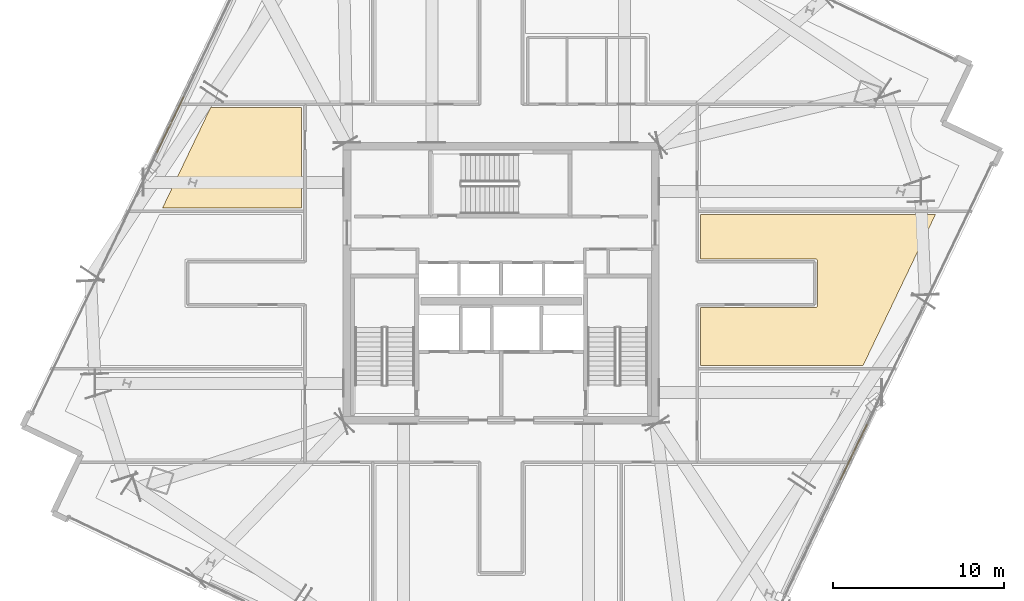
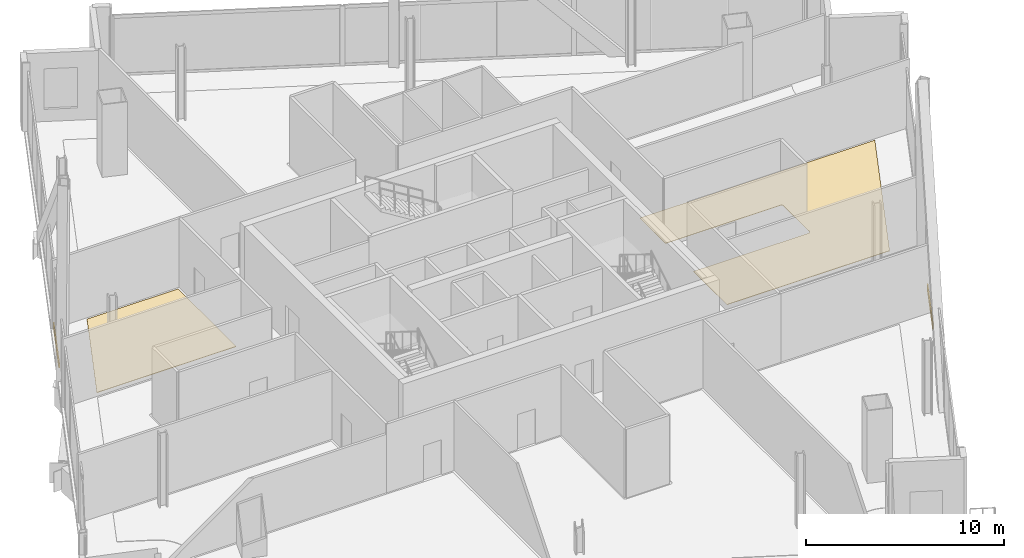
# One storey, part 22 of 24: 4 coverings.
"""IFC4 building model written with IfcOpenShell, lengths in metres."""

import ifcopenshell
import ifcopenshell.guid

model = None  # the IFC model being written
_history = None  # IfcOwnerHistory: only IFC2X3 demands one
_inside = {}  # id of a spatial element -> (the spatial element, [elements in it])
_under = {}  # id of a project, library or spatial element -> (it, [spatial elements below it])
_declared = {}  # id of a project -> (the project, [libraries it declares])
_typed = {}  # id of a type object -> (the type object, [elements of that type])
_made_of = {}  # id of a material, layer set ... -> (it, [elements and type objects made of it])


def new_model(schema):
    """Start an empty IFC model of exactly this schema.

    Asked for "IFC4X3", IfcOpenShell would pick the latest addendum, in which some entities
    have other attributes; the version numbers below select the first issue.
    IFC2X3 requires an IfcOwnerHistory on every rooted entity: one is made here for all.
    """
    global model, _history
    if schema == "IFC4X3":
        model = ifcopenshell.file(schema_version=(4, 3, 0, 0))
    else:
        model = ifcopenshell.file(schema=schema)
    _inside.clear()
    _under.clear()
    _declared.clear()
    _typed.clear()
    _made_of.clear()
    _history = None
    if model.schema == "IFC2X3":
        org = make("IfcOrganization", Name="unknown")
        user = make(
            "IfcPersonAndOrganization",
            ThePerson=make("IfcPerson", FamilyName="unknown"),
            TheOrganization=org,
        )
        app = make(
            "IfcApplication",
            ApplicationDeveloper=org,
            Version="unknown",
            ApplicationFullName="unknown",
            ApplicationIdentifier="unknown",
        )
        _history = make(
            "IfcOwnerHistory",
            OwningUser=user,
            OwningApplication=app,
            ChangeAction="ADDED",
            CreationDate=0,
        )
    return model


def make(cls, **values):
    """One entity of the class cls with the attributes given. An attribute that is None is left unset."""
    return model.create_entity(
        cls, **{name: value for name, value in values.items() if value is not None}
    )


def rooted(cls, **values):
    """An entity with a GlobalId (a new one), such as an element, a storey or a relation."""
    return make(cls, GlobalId=ifcopenshell.guid.new(), OwnerHistory=_history, **values)


def si_unit(unit_type, name, prefix=None):
    """IfcSIUnit, for example si_unit("LENGTHUNIT", "METRE", prefix="MILLI")."""
    return make("IfcSIUnit", UnitType=unit_type, Prefix=prefix, Name=name)


def assignment(units):
    """IfcUnitAssignment: the units of a project."""
    return None if units is None else make("IfcUnitAssignment", Units=units)


def point(xyz):
    """IfcCartesianPoint."""
    return None if xyz is None else make("IfcCartesianPoint", Coordinates=xyz)


def direction(xyz):
    """IfcDirection."""
    return None if xyz is None else make("IfcDirection", DirectionRatios=xyz)


def frame(location, z_axis=None, x_axis=None):
    """IfcAxis2Placement3D, a coordinate frame: its origin and axes. An axis left out is left unset."""
    return make(
        "IfcAxis2Placement3D",
        Location=point(location),
        Axis=direction(z_axis),
        RefDirection=direction(x_axis),
    )


def frame_2d(location, x_axis=None):
    """IfcAxis2Placement2D, a coordinate frame in the plane: its origin and x axis."""
    return make(
        "IfcAxis2Placement2D", Location=point(location), RefDirection=direction(x_axis)
    )


def origin():
    """The frame at (0, 0, 0) with its axes left unset."""
    return frame((0.0, 0.0, 0.0))


def origin_2d():
    """The frame at (0, 0) in the plane with its x axis left unset."""
    return frame_2d((0.0, 0.0))


def place(relative_to, where):
    """IfcLocalPlacement: puts the frame where relative to a parent placement (None: the world)."""
    return make(
        "IfcLocalPlacement", PlacementRelTo=relative_to, RelativePlacement=where
    )


def context(
    kind, dimensions, precision=None, world=None, true_north=None, identifier=None
):
    """IfcGeometricRepresentationContext, for example the 3D "Model" context."""
    return make(
        "IfcGeometricRepresentationContext",
        ContextIdentifier=identifier,
        ContextType=kind,
        CoordinateSpaceDimension=dimensions,
        Precision=precision,
        WorldCoordinateSystem=world,
        TrueNorth=true_north,
    )


def subcontext(parent, identifier, kind, view, scale=None):
    """IfcGeometricRepresentationSubContext, for example "Body" below "Model"."""
    return make(
        "IfcGeometricRepresentationSubContext",
        ContextIdentifier=identifier,
        ContextType=kind,
        ParentContext=parent,
        TargetScale=scale,
        TargetView=view,
    )


def project(units=None, contexts=None):
    """IfcProject with its units and contexts."""
    return rooted(
        "IfcProject",
        Name="project",
        RepresentationContexts=contexts,
        UnitsInContext=assignment(units),
    )


def spatial(cls, under=None, at=None, **own):
    """A site, building, storey or space (cls), placed at a placement, below another one or the project."""
    s = rooted(cls, ObjectPlacement=at, **own)
    if under is not None:
        _under.setdefault(under.id(), (under, []))[1].append(s)
    return s


def polyline(points):
    """IfcPolyline through the points."""
    return make("IfcPolyline", Points=[point(p) for p in points])


def profile(cls, at=None, kind="AREA", **sizes):
    """A parametric profile (cls). Its sizes go by their IFC names, for example OverallWidth=200.0."""
    return make(cls, ProfileType=kind, Position=at, **sizes)


def rectangle(**sizes):
    """IfcRectangleProfileDef."""
    return profile("IfcRectangleProfileDef", **sizes)


def outline(outer, holes=None, kind="AREA"):
    """IfcArbitraryClosedProfileDef: a profile drawn as a closed curve; with holes, ...WithVoids."""
    if holes is None:
        return make("IfcArbitraryClosedProfileDef", ProfileType=kind, OuterCurve=outer)
    return make(
        "IfcArbitraryProfileDefWithVoids",
        ProfileType=kind,
        OuterCurve=outer,
        InnerCurves=holes,
    )


def extrude(swept, where, along, depth):
    """IfcExtrudedAreaSolid: the profile swept, set in the frame where, extruded along a direction by depth."""
    return make(
        "IfcExtrudedAreaSolid",
        SweptArea=swept,
        Position=where,
        ExtrudedDirection=direction(along),
        Depth=depth,
    )


def shape(context_of_items, identifier, shape_type, items):
    """IfcShapeRepresentation: the items that make up one representation, for example the "Body"."""
    return make(
        "IfcShapeRepresentation",
        ContextOfItems=context_of_items,
        RepresentationIdentifier=identifier,
        RepresentationType=shape_type,
        Items=items,
    )


def source(mapping_origin, context_of_items, identifier, shape_type, items):
    """IfcRepresentationMap: a shape defined once, which mapped items show again and again."""
    return make(
        "IfcRepresentationMap",
        MappingOrigin=mapping_origin,
        MappedRepresentation=shape(context_of_items, identifier, shape_type, items),
    )


def transform(
    local_origin,
    x_axis=None,
    y_axis=None,
    z_axis=None,
    scale=None,
    scale2=None,
    scale3=None,
    uniform=True,
):
    """IfcCartesianTransformationOperator3D, or its non-uniform kind. x_axis, y_axis, z_axis: its Axis1, 2, 3."""
    if uniform:
        return make(
            "IfcCartesianTransformationOperator3D",
            Axis1=direction(x_axis),
            Axis2=direction(y_axis),
            LocalOrigin=point(local_origin),
            Scale=scale,
            Axis3=direction(z_axis),
        )
    return make(
        "IfcCartesianTransformationOperator3DnonUniform",
        Axis1=direction(x_axis),
        Axis2=direction(y_axis),
        LocalOrigin=point(local_origin),
        Scale=scale,
        Axis3=direction(z_axis),
        Scale2=scale2,
        Scale3=scale3,
    )


def mapped(mapping_source, mapping_target):
    """IfcMappedItem: shows the shape of a source again, moved by a transform."""
    return make(
        "IfcMappedItem", MappingSource=mapping_source, MappingTarget=mapping_target
    )


def material(Name=None, Category=None):
    """IfcMaterial."""
    return make("IfcMaterial", Name=Name, Category=Category)


def layer(
    of_material, thickness, ventilated=None, Name=None, Category=None, Priority=None
):
    """IfcMaterialLayer: one layer of a wall or slab, of a material (None: an air gap)."""
    return make(
        "IfcMaterialLayer",
        Material=of_material,
        LayerThickness=thickness,
        IsVentilated=ventilated,
        Name=Name,
        Category=Category,
        Priority=Priority,
    )


def layer_set(layers, Name=None):
    """IfcMaterialLayerSet."""
    return make("IfcMaterialLayerSet", MaterialLayers=layers, LayerSetName=Name)


def made_of(thing, what):
    """Note that an element or type object is made of a material, layer set ...; save() writes the relation."""
    if what is not None:
        _made_of.setdefault(what.id(), (what, []))[1].append(thing)
    return thing


def type_object(cls, material=None, **own):
    """A type object (cls), such as IfcWallType, which elements share."""
    return made_of(rooted(cls, **own), material)


def element(
    cls,
    number,
    at=None,
    inside=None,
    cuts=None,
    type_object=None,
    material=None,
    context=None,
    identifier="Body",
    shape_type=None,
    held_by="IfcProductDefinitionShape",
    body=None,
    shapes=None,
    **own,
):
    """One element of the class cls, such as IfcWall. Its Tag is "e" and its number.

    at: its placement. inside: the storey or other place that contains it. cuts: it is an
    opening in that element (IfcRelVoidsElement). A single representation is given by context,
    identifier, shape_type and body (its items); several are given by shapes. held_by: the class
    of the entity that holds the representations. save() writes the other relations.
    """
    e = rooted(cls, Tag="e%d" % number, ObjectPlacement=at, **own)
    if body is not None:
        shapes = [shape(context, identifier, shape_type, body)]
    if shapes is not None:
        e.Representation = make(held_by, Representations=shapes)
    if inside is not None:
        _inside.setdefault(inside.id(), (inside, []))[1].append(e)
    if cuts is not None:
        rooted(
            "IfcRelVoidsElement", RelatingBuildingElement=cuts, RelatedOpeningElement=e
        )
    if type_object is not None:
        _typed.setdefault(type_object.id(), (type_object, []))[1].append(e)
    return made_of(e, material)


def aggregate(whole, parts):
    """IfcRelAggregates: a whole, such as a stair, and the parts it consists of."""
    return rooted("IfcRelAggregates", RelatingObject=whole, RelatedObjects=parts)


def save(model, path):
    """Write the relations noted so far, then the file.

    IfcRelAggregates (storeys below a building ...), IfcRelContainedInSpatialStructure (elements
    in a storey), IfcRelDefinesByType, IfcRelAssociatesMaterial and IfcRelDeclares: one each for
    every whole, place, type object, material and project.
    """
    for whole, parts in _under.values():
        aggregate(whole, parts)
    for where, things in _inside.values():
        rooted(
            "IfcRelContainedInSpatialStructure",
            RelatedElements=things,
            RelatingStructure=where,
        )
    for kind, things in _typed.values():
        rooted("IfcRelDefinesByType", RelatedObjects=things, RelatingType=kind)
    for what, things in _made_of.values():
        rooted("IfcRelAssociatesMaterial", RelatedObjects=things, RelatingMaterial=what)
    for by, libraries in _declared.values():
        rooted("IfcRelDeclares", RelatingContext=by, RelatedDefinitions=libraries)
    model.write(path)


model = new_model("IFC4")

# Units and contexts
model_context = context("Model", 3, precision=1e-05, world=origin(), true_north=direction((0.0, 1.0)))
body_context = subcontext(model_context, "Body", "Model", "MODEL_VIEW")
ifc_project = project(units=[si_unit("LENGTHUNIT", "METRE"), si_unit("AREAUNIT", "SQUARE_METRE"), si_unit("VOLUMEUNIT", "CUBIC_METRE"), si_unit("PLANEANGLEUNIT", "RADIAN"), si_unit("MASSUNIT", "GRAM", prefix="KILO")], contexts=[model_context])

# Site, building, storey
site_placement = place(None, origin())
site = spatial("IfcSite", under=ifc_project, at=site_placement, CompositionType="ELEMENT")
building_placement = place(site_placement, origin())
building = spatial("IfcBuilding", under=site, at=building_placement, Name="Haldenkirk Collegiate Tower", CompositionType="ELEMENT")
storey_placement = place(building_placement, frame((0.0, 0.0, 244.199951171875)))
storey = spatial("IfcBuildingStorey", under=building, at=storey_placement, Name="L61", CompositionType="ELEMENT", Elevation=244.199951171875)

# Coverings
ifc_material_1 = material(Name="Polished collegiate terrazzo", Category="concrete")
ifc_layer_1 = layer(ifc_material_1, 0.02490234375)
ifc_layer_set_1 = layer_set([ifc_layer_1], Name="Polished collegiate terrazzo")
covering_type_1 = type_object("IfcCoveringType", Name="COV-FLOOR-TERRAZZO", PredefinedType="FLOORING", material=ifc_layer_set_1)
covering_1_placement = place(storey_placement, origin())
element("IfcCovering", 1, at=covering_1_placement, inside=storey, type_object=covering_type_1, Name="L61 academic room finish 08", PredefinedType="FLOORING", context=body_context, shape_type="SweptSolid", body=[
    extrude(outline(polyline([(19.033203125, 36.25), (24.35009765625, 36.25), (24.35009765625, 30.39990234375), (16.23046875, 30.39990234375), (19.033203125, 36.25)])), origin(), (0.0, 0.0, 1.0), 0.025146484375),
])
covering_2_placement = place(storey_placement, origin())
element("IfcCovering", 2, at=covering_2_placement, inside=storey, type_object=covering_type_1, Name="L61 academic room finish 10", PredefinedType="FLOORING", context=body_context, shape_type="SweptSolid", body=[
    extrude(outline(polyline([(57.13037109375, 21.199951171875), (47.64990234375, 21.199951171875), (47.64990234375, 24.580078125), (54.35009765625, 24.580078125), (54.36181640625, 24.58056640625), (54.373291015625, 24.582275390625), (54.384765625, 24.585205078125), (54.39599609375, 24.589111328125), (54.406494140625, 24.59423828125), (54.416748046875, 24.60009765625), (54.426025390625, 24.607177734375), (54.434814453125, 24.614990234375), (54.44287109375, 24.623779296875), (54.44970703125, 24.63330078125), (54.455810546875, 24.643310546875), (54.4609375, 24.654052734375), (54.46484375, 24.665283203125), (54.4677734375, 24.676513671875), (54.469482421875, 24.688232421875), (54.469970703125, 24.699951171875), (54.469970703125, 27.300048828125), (54.469482421875, 27.311767578125), (54.4677734375, 27.323486328125), (54.46484375, 27.334716796875), (54.4609375, 27.345947265625), (54.455810546875, 27.356689453125), (54.44970703125, 27.36669921875), (54.44287109375, 27.376220703125), (54.434814453125, 27.385009765625), (54.426025390625, 27.392822265625), (54.416748046875, 27.39990234375), (54.406494140625, 27.40576171875), (54.39599609375, 27.410888671875), (54.384765625, 27.414794921875), (54.373291015625, 27.417724609375), (54.36181640625, 27.41943359375), (54.35009765625, 27.419921875), (47.64990234375, 27.419921875), (47.64990234375, 30.0), (61.346435546875, 30.0), (57.13037109375, 21.199951171875)])), origin(), (0.0, 0.0, 1.0), 0.025146484375),
])
ifc_material_2 = material(Name="Anodised architectural bronze aluminium", Category="aluminium")
ifc_layer_2 = layer(ifc_material_2, 0.06005859375)
ifc_layer_set_2 = layer_set([ifc_layer_2], Name="Anodised architectural bronze aluminium")
covering_type_2 = type_object("IfcCoveringType", Name="COV-CLAD-BRONZE-60", PredefinedType="CLADDING", material=ifc_layer_set_2)
shared_shape = source(origin(), body_context, "Body", "SweptSolid", [
    extrude(rectangle(XDim=3.60009765625, YDim=0.06005859375, at=origin_2d()), origin(), (0.0, 0.0, 1.0), 0.300048828125),
])
for number, where, z_axis, x_axis, name in (
    (3, (56.579833984375, 16.139892578125, -0.2998046875), (0.0, 0.0, 1.0), (-0.432085748802, -0.901832526405, 0.0), "L61 architectural bronze spandrel cladding S"),
    (4, (16.6826171875, 35.255126953125, -0.2998046875), (0.0, 0.0, 1.0), (0.432085748802, 0.901832526405, 0.0), "L61 architectural bronze spandrel cladding N"),
):
    element("IfcCovering", number, at=place(storey_placement, frame(where, z_axis=z_axis, x_axis=x_axis)), inside=storey, type_object=covering_type_2, Name=name, PredefinedType="CLADDING", context=body_context, shape_type="MappedRepresentation", body=[
        mapped(shared_shape, transform((0.0, 0.0, 0.0), x_axis=(1.0, 0.0, 0.0), y_axis=(0.0, 1.0, 0.0), z_axis=(0.0, 0.0, 1.0), scale=1.0)),
    ])

save(model, "model.ifc")
